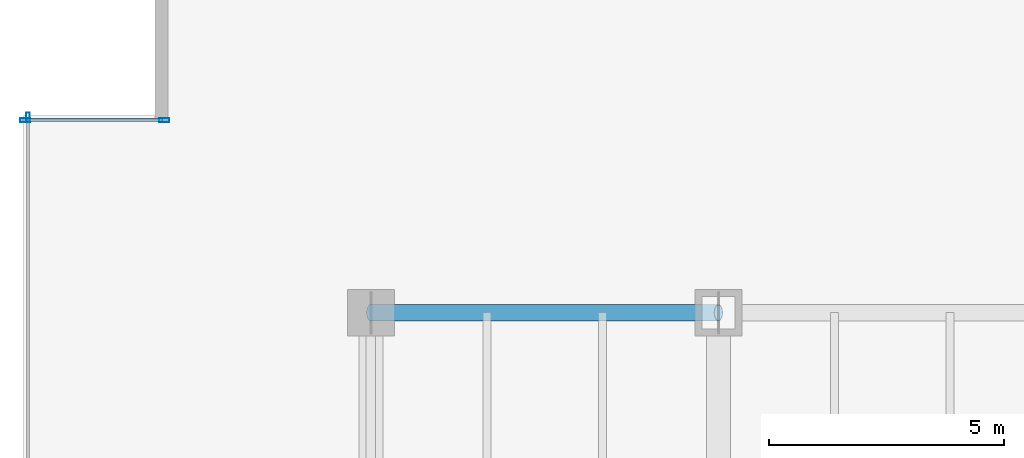
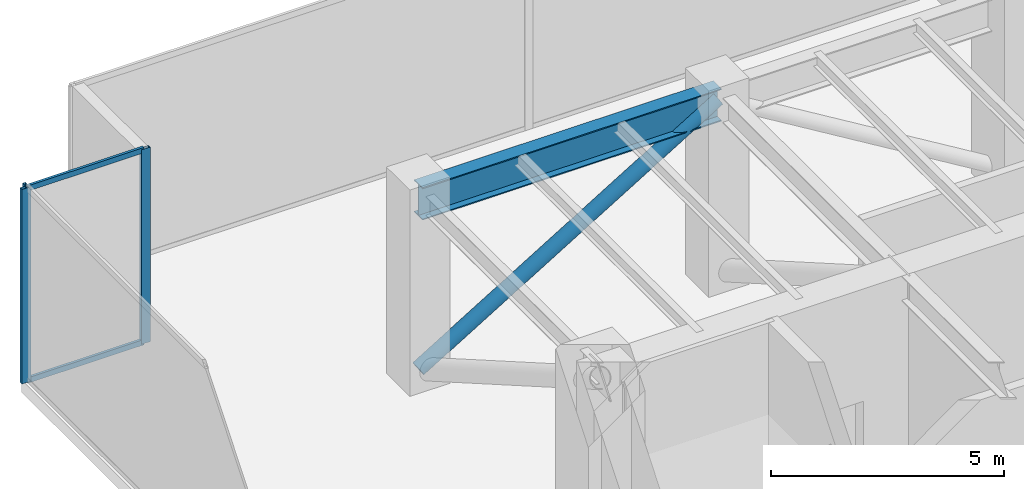
# One storey, part 12 of 38: 6 members, 1 beam, 2 elements without a shape of their own.
"""IFC4 building model written with IfcOpenShell, lengths in metres."""

from ifc_helpers import new_model, si_unit, direction, frame, origin, origin_2d, place, context, subcontext, project, spatial, hollow_rectangle, hollow_circle, i_section, extrude, source, transform, mapped, material, layer, layer_set, material_profile, profile_set, type_object, type_shapes, element, aggregate, save


model = new_model("IFC4")

# Units and contexts
model_context = context("Model", 3, precision=1e-05, world=origin(), true_north=direction((0.0, 1.0)))
body_context = subcontext(model_context, "Body", "Model", "MODEL_VIEW")
ifc_project = project(units=[si_unit("LENGTHUNIT", "METRE"), si_unit("AREAUNIT", "SQUARE_METRE"), si_unit("VOLUMEUNIT", "CUBIC_METRE"), si_unit("PLANEANGLEUNIT", "RADIAN"), si_unit("MASSUNIT", "GRAM", prefix="KILO")], contexts=[model_context])

# Site, building, storey
site_placement = place(None, origin())
site = spatial("IfcSite", under=ifc_project, at=site_placement, CompositionType="ELEMENT")
building_placement = place(site_placement, origin())
building = spatial("IfcBuilding", under=site, at=building_placement, Name="Haelvirn Gate Laboratories", CompositionType="ELEMENT")
storey_placement = place(building_placement, frame((0.0, 0.0, 94.89990234375)))
storey = spatial("IfcBuildingStorey", under=building, at=storey_placement, Name="L23", CompositionType="ELEMENT", Elevation=94.89990234375)

# Beam
ifc_material_1 = material(Name="Steel SM420", Category="steel")
ifc_material_profile_1 = material_profile(ifc_material_1, i_section(OverallWidth=0.35009765625, OverallDepth=0.85009765625, WebThickness=0.01611328125, FlangeThickness=0.028076171875, at=origin_2d()), Name="H-850x350x16x28")
ifc_profile_set_1 = profile_set([ifc_material_profile_1], Name="Steel SM420")
beam_type = type_object("IfcBeamType", Name="BM-AG-850", PredefinedType="BEAM", material=ifc_profile_set_1)
shared_shape_1 = source(origin(), body_context, "Body", "SweptSolid", [
    extrude(i_section(OverallWidth=0.35009765625, OverallDepth=0.85009765625, WebThickness=0.01611328125, FlangeThickness=0.028076171875, at=origin_2d()), origin(), (0.0, 0.0, 1.0), 7.400146484375),
])
type_shapes(beam_type, [shared_shape_1])
beam_placement = place(storey_placement, frame((7.39990234375, 41.60009765625, 4.6650390625), z_axis=(1.0, 0.0, 0.0), x_axis=(0.0, 1.0, 0.0)))
element("IfcBeam", 1, at=beam_placement, inside=storey, type_object=beam_type, Name="L23 Primary Girder Y41.6 (7.4-14.8)", PredefinedType="BEAM", context=body_context, shape_type="MappedRepresentation", body=[
    mapped(shared_shape_1, transform((0.0, 0.0, 0.0), scale=1.0)),
])

# Member
ifc_material_2 = material(Name="Steel SM355", Category="steel")
ifc_material_profile_2 = material_profile(ifc_material_2, hollow_circle(Radius=0.177734375, WallThickness=0.013916015625, at=origin_2d()), Name="CHS-355x14")
ifc_profile_set_2 = profile_set([ifc_material_profile_2], Name="Steel SM355")
member_type_1 = type_object("IfcMemberType", Name="MEM-BELT-1", PredefinedType="STRUT", material=ifc_profile_set_2)
shared_shape_2 = source(origin(), body_context, "Body", "SweptSolid", [
    extrude(hollow_circle(Radius=0.177734375, WallThickness=0.013916015625, at=origin_2d()), origin(), (0.0, 0.0, 1.0), 8.65576171875),
])
type_shapes(member_type_1, [shared_shape_2])
member_1_placement = place(storey_placement, frame((7.39990234375, 41.60009765625, 0.25), z_axis=(0.854938968729, 0.0, 0.518728599317), x_axis=(0.0, 1.0, 0.0)))
element("IfcMember", 2, at=member_1_placement, inside=storey, type_object=member_type_1, Name="L23 Perimeter Belt Truss N1", PredefinedType="STRUT", context=body_context, shape_type="MappedRepresentation", body=[
    mapped(shared_shape_2, transform((0.0, 0.0, 0.0), scale=1.0)),
])

# Curtain wall, members
ifc_material_3 = material(Name="Anodised bronze unitised aluminium & triple low-E glass", Category="aluminium")
ifc_layer_1 = layer(ifc_material_3, 0.181884765625, Name="CW-SYS-5")
ifc_layer_set_1 = layer_set([ifc_layer_1], Name="Anodised bronze unitised aluminium & triple low-E glass")
curtain_wall_type_1 = type_object("IfcCurtainWallType", Name="CW-SYS-5", PredefinedType="NOTDEFINED", material=ifc_layer_set_1)
curtain_wall_1_placement = place(storey_placement, origin())
curtain_wall_1 = element("IfcCurtainWall", 3, at=curtain_wall_1_placement, inside=storey, type_object=curtain_wall_type_1, Name="L23 Unitised Curtain Wall CW-L23-P0-E16-1", PredefinedType="NOTDEFINED")
ifc_material_4 = material(Name="Extruded aluminium 6063-T6 (anodised bronze)", Category="aluminium")
ifc_material_profile_3 = material_profile(ifc_material_4, hollow_rectangle(XDim=0.06494140625, YDim=0.139892578125, WallThickness=0.00390625, at=origin_2d()), Name="CWT-140x65x4")
ifc_profile_set_3 = profile_set([ifc_material_profile_3], Name="Extruded aluminium 6063-T6 (anodised bronze)")
member_type_2 = type_object("IfcMemberType", Name="CWT-T140", PredefinedType="USERDEFINED", material=ifc_profile_set_3)
shared_shape_3 = source(origin(), body_context, "Body", "SweptSolid", [
    extrude(hollow_rectangle(XDim=0.06494140625, YDim=0.139892578125, WallThickness=0.00390625, at=origin_2d()), origin(), (0.0, 0.0, 1.0), 2.8798828125),
])
type_shapes(member_type_2, [shared_shape_3])
member_2_placement = place(storey_placement, frame((0.080078125, 45.699951171875, 0.03271484375), z_axis=(1.0, 0.0, 0.0), x_axis=(0.0, 1.0, 0.0)))
member_2 = element("IfcMember", 4, at=member_2_placement, type_object=member_type_2, Name="CW5 transom 1.1", ObjectType="TRANSOM", PredefinedType="USERDEFINED", context=body_context, shape_type="MappedRepresentation", body=[
    mapped(shared_shape_3, transform((0.0, 0.0, 0.0), scale=1.0)),
])
member_3_placement = place(storey_placement, frame((0.080078125, 45.699951171875, 5.0576171875), z_axis=(1.0, 0.0, 0.0), x_axis=(0.0, 1.0, 0.0)))
member_3 = element("IfcMember", 5, at=member_3_placement, type_object=member_type_2, Name="CW5 transom 1.2", ObjectType="TRANSOM", PredefinedType="USERDEFINED", context=body_context, shape_type="MappedRepresentation", body=[
    mapped(shared_shape_3, transform((0.0, 0.0, 0.0), scale=1.0)),
])

# Curtain wall, member
ifc_layer_2 = layer(ifc_material_3, 0.18408203125, Name="CW-SYS-2")
ifc_layer_set_2 = layer_set([ifc_layer_2], Name="Anodised bronze unitised aluminium & triple low-E glass")
curtain_wall_type_2 = type_object("IfcCurtainWallType", Name="CW-SYS-2", PredefinedType="NOTDEFINED", material=ifc_layer_set_2)
curtain_wall_2_placement = place(storey_placement, origin())
curtain_wall_2 = element("IfcCurtainWall", 6, at=curtain_wall_2_placement, inside=storey, type_object=curtain_wall_type_2, Name="L23 Unitised Curtain Wall CW-L23-P0-E17", PredefinedType="NOTDEFINED")
ifc_material_profile_4 = material_profile(ifc_material_4, hollow_rectangle(XDim=0.074951171875, YDim=0.199951171875, WallThickness=0.0048828125, at=origin_2d()), Name="CWM-200x75x5")
ifc_profile_set_4 = profile_set([ifc_material_profile_4], Name="Extruded aluminium 6063-T6 (anodised bronze)")
member_type_3 = type_object("IfcMemberType", Name="CWM-T200", PredefinedType="MULLION", material=ifc_profile_set_4)
shared_shape_4 = source(origin(), body_context, "Body", "SweptSolid", [
    extrude(hollow_rectangle(XDim=0.074951171875, YDim=0.199951171875, WallThickness=0.0048828125, at=origin_2d()), origin(), (0.0, 0.0, 1.0), 5.090087890625),
])
type_shapes(member_type_3, [shared_shape_4])
member_4_placement = place(storey_placement, frame((0.10009765625, 45.762451171875, 0.0), z_axis=(0.0, 0.0, 1.0), x_axis=(1.0, 0.0, 0.0)))
member_4 = element("IfcMember", 7, at=member_4_placement, type_object=member_type_3, Name="CW2 mullion 1", PredefinedType="MULLION", context=body_context, shape_type="MappedRepresentation", body=[
    mapped(shared_shape_4, transform((0.0, 0.0, 0.0), scale=1.0)),
])
aggregate(curtain_wall_2, [member_4])

# Member
ifc_material_profile_5 = material_profile(ifc_material_4, hollow_rectangle(XDim=0.080078125, YDim=0.219970703125, WallThickness=0.006103515625, at=origin_2d()), Name="CWM-220x80x6")
ifc_profile_set_5 = profile_set([ifc_material_profile_5], Name="Extruded aluminium 6063-T6 (anodised bronze)")
member_type_4 = type_object("IfcMemberType", Name="CWM-T220", PredefinedType="MULLION", material=ifc_profile_set_5)
shared_shape_5 = source(origin(), body_context, "Body", "SweptSolid", [
    extrude(hollow_rectangle(XDim=0.080078125, YDim=0.219970703125, WallThickness=0.006103515625, at=origin_2d()), origin(), (0.0, 0.0, 1.0), 5.090087890625),
])
type_shapes(member_type_4, [shared_shape_5])
member_5_placement = place(storey_placement, frame((0.0400390625, 45.699951171875, 0.0), z_axis=(0.0, 0.0, 1.0), x_axis=(0.0, 1.0, 0.0)))
member_5 = element("IfcMember", 8, at=member_5_placement, type_object=member_type_4, Name="CW5 mullion 1", PredefinedType="MULLION", context=body_context, shape_type="MappedRepresentation", body=[
    mapped(shared_shape_5, transform((0.0, 0.0, 0.0), scale=1.0)),
])

member_6_placement = place(storey_placement, frame((3.0, 45.699951171875, 0.0), z_axis=(0.0, 0.0, 1.0), x_axis=(0.0, 1.0, 0.0)))
member_6 = element("IfcMember", 9, at=member_6_placement, type_object=member_type_4, Name="CW5 mullion 2", PredefinedType="MULLION", context=body_context, shape_type="MappedRepresentation", body=[
    mapped(shared_shape_5, transform((0.0, 0.0, 0.0), scale=1.0)),
])

aggregate(curtain_wall_1, [member_5, member_6, member_2, member_3])

save(model, "model.ifc")
